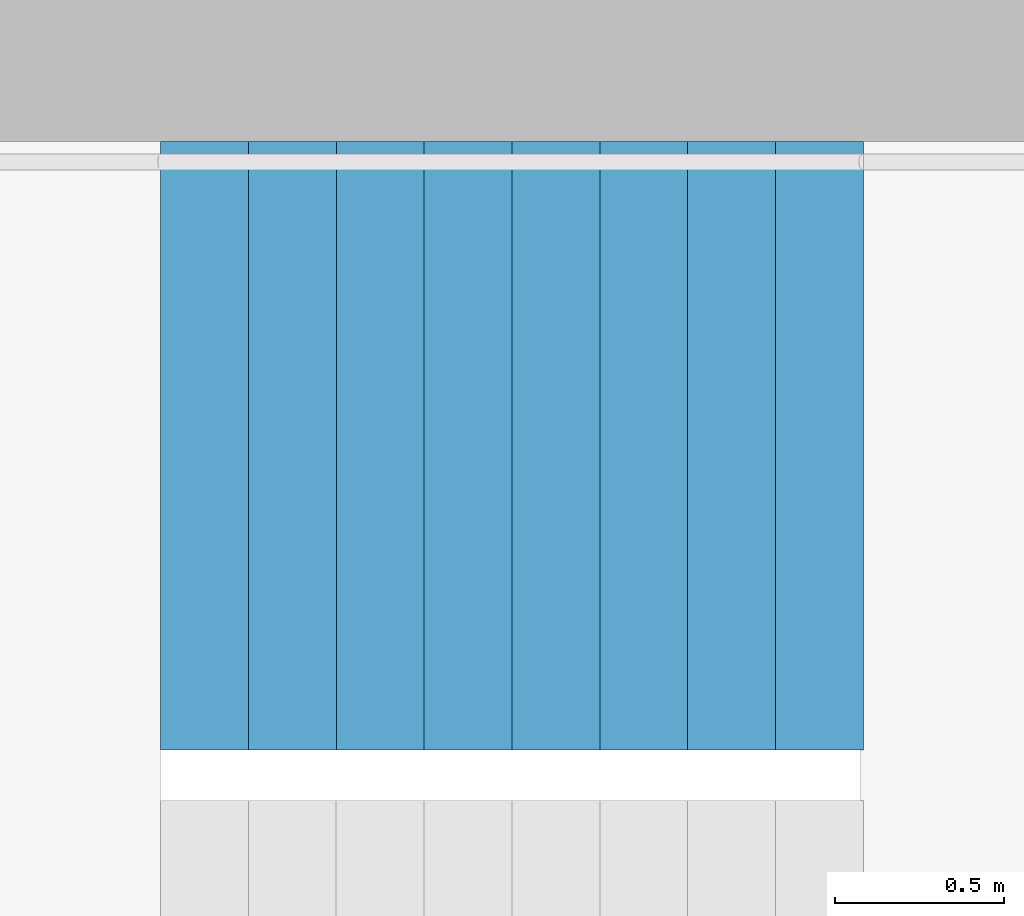
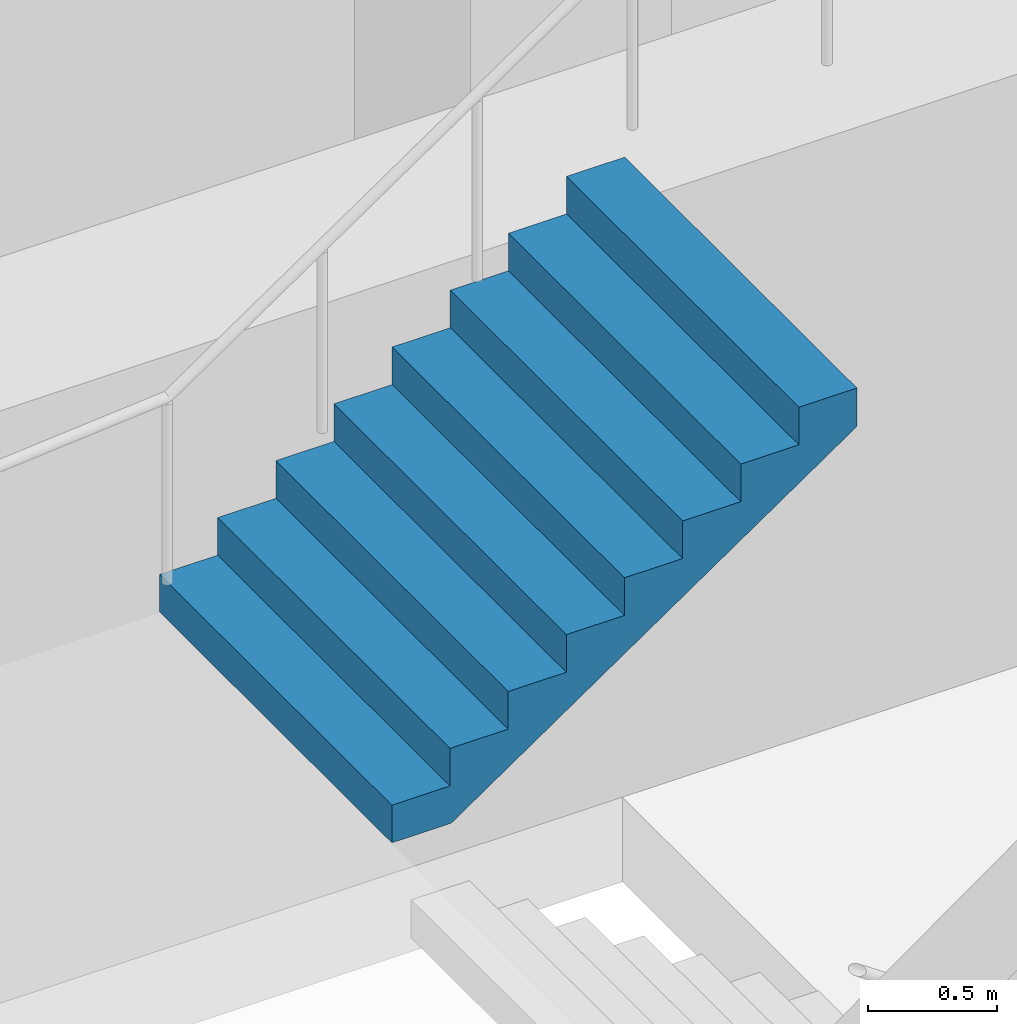
# One storey, part 28 of 29: 1 stair flight, 1 element without a shape of its own.
"""IFC4 building model written with IfcOpenShell, lengths in metres."""

from ifc_helpers import new_model, si_unit, direction, frame, origin, place, context, subcontext, project, spatial, triangles, material, type_object, element, aggregate, save


model = new_model("IFC4")

# Units and contexts
model_context = context("Model", 3, precision=1e-05, world=origin(), true_north=direction((0.0, 1.0)))
body_context = subcontext(model_context, "Body", "Model", "MODEL_VIEW")
ifc_project = project(units=[si_unit("LENGTHUNIT", "METRE"), si_unit("AREAUNIT", "SQUARE_METRE"), si_unit("VOLUMEUNIT", "CUBIC_METRE"), si_unit("PLANEANGLEUNIT", "RADIAN"), si_unit("MASSUNIT", "GRAM", prefix="KILO")], contexts=[model_context])

# Site, building, storey
site_placement = place(None, origin())
site = spatial("IfcSite", under=ifc_project, at=site_placement, CompositionType="ELEMENT")
building_placement = place(site_placement, origin())
building = spatial("IfcBuilding", under=site, at=building_placement, Name="Hakoniwa Tower and Hamabe Station Hall", CompositionType="ELEMENT")
storey_placement = place(building_placement, frame((0.0, 0.0, 91.39990234375)))
storey = spatial("IfcBuildingStorey", under=building, at=storey_placement, Name="L25", CompositionType="ELEMENT", Elevation=91.39990234375)

# Stair, stair flight
ifc_material_1 = material(Name="Concrete C40", Category="concrete")
stair_type = type_object("IfcStairType", Name="ESCAPE STAIR 1800", PredefinedType="HALF_TURN_STAIR", material=ifc_material_1)
stair_placement = place(storey_placement, origin())
stair = element("IfcStair", 1, at=stair_placement, inside=storey, type_object=stair_type, Name="Escape stair ST-3 L25", PredefinedType="HALF_TURN_STAIR")
ifc_material_2 = material(Name="Concrete C40", Category="concrete")
stair_flight_type = type_object("IfcStairFlightType", Name="STAIR FLIGHT 1800", PredefinedType="STRAIGHT", material=ifc_material_2)
stair_flight_placement = place(storey_placement, frame((22.320068359375, 6.60009765625, 1.60009765625), z_axis=(0.0, 0.0, 1.0), x_axis=(1.0, 0.0, 0.0)))
stair_flight = element("IfcStairFlight", 2, at=stair_flight_placement, type_object=stair_flight_type, Name="ST-3 flight 2", NumberOfRisers=9, NumberOfTreads=8, PredefinedType="STRAIGHT", RiserHeight=0.177777778, TreadLength=0.26, context=body_context, shape_type="Tessellation", body=[
    triangles([(0.0, 0.89990234375, 0.0), (0.260009765625, 0.89990234375, 0.0), (0.265625, 0.89990234375, 0.0), (0.52001953125, 0.89990234375, 0.174072265625), (0.780029296875, 0.89990234375, 0.351806640625), (1.0400390625, 0.89990234375, 0.529541015625), (1.300048828125, 0.89990234375, 0.707275390625), (1.56005859375, 0.89990234375, 0.885009765625), (1.820068359375, 0.89990234375, 1.062744140625), (2.080078125, 0.89990234375, 1.24072265625), (2.080078125, 0.89990234375, 1.422119140625), (1.820068359375, 0.89990234375, 1.422119140625), (1.820068359375, 0.89990234375, 1.244384765625), (1.56005859375, 0.89990234375, 1.244384765625), (1.56005859375, 0.89990234375, 1.066650390625), (1.300048828125, 0.89990234375, 1.066650390625), (1.300048828125, 0.89990234375, 0.888916015625), (1.0400390625, 0.89990234375, 0.888916015625), (1.0400390625, 0.89990234375, 0.711181640625), (0.780029296875, 0.89990234375, 0.711181640625), (0.780029296875, 0.89990234375, 0.533447265625), (0.52001953125, 0.89990234375, 0.533447265625), (0.52001953125, 0.89990234375, 0.35546875), (0.265625, 0.89990234375, 0.35546875), (0.260009765625, 0.89990234375, 0.35546875), (0.260009765625, 0.89990234375, 0.177734375), (0.0, 0.89990234375, 0.177734375), (0.0, 0.06005859375, 0.0), (0.260009765625, 0.06005859375, 0.0), (0.265625, 0.06005859375, 0.0), (0.52001953125, 0.06005859375, 0.174072265625), (0.780029296875, 0.06005859375, 0.351806640625), (1.0400390625, 0.06005859375, 0.529541015625), (1.300048828125, 0.06005859375, 0.707275390625), (1.56005859375, 0.06005859375, 0.885009765625), (1.820068359375, 0.06005859375, 1.062744140625), (2.080078125, 0.06005859375, 1.24072265625), (2.080078125, 0.06005859375, 1.422119140625), (1.820068359375, 0.06005859375, 1.422119140625), (1.820068359375, 0.06005859375, 1.244384765625), (1.56005859375, 0.06005859375, 1.244384765625), (1.56005859375, 0.06005859375, 1.066650390625), (1.300048828125, 0.06005859375, 1.066650390625), (1.300048828125, 0.06005859375, 0.888916015625), (1.0400390625, 0.06005859375, 0.888916015625), (1.0400390625, 0.06005859375, 0.711181640625), (0.780029296875, 0.06005859375, 0.711181640625), (0.780029296875, 0.06005859375, 0.533447265625), (0.52001953125, 0.06005859375, 0.533447265625), (0.52001953125, 0.06005859375, 0.35546875), (0.265625, 0.06005859375, 0.35546875), (0.260009765625, 0.06005859375, 0.35546875), (0.260009765625, 0.06005859375, 0.177734375), (0.0, 0.06005859375, 0.177734375), (0.0, 0.04296875, 0.0), (0.260009765625, 0.04296875, 0.0), (0.265625, 0.04296875, 0.0), (0.52001953125, 0.04296875, 0.174072265625), (0.780029296875, 0.04296875, 0.351806640625), (1.0400390625, 0.04296875, 0.529541015625), (1.300048828125, 0.04296875, 0.707275390625), (1.56005859375, 0.04296875, 0.885009765625), (1.820068359375, 0.04296875, 1.062744140625), (2.080078125, 0.04296875, 1.24072265625), (2.080078125, 0.04296875, 1.422119140625), (1.820068359375, 0.04296875, 1.422119140625), (1.820068359375, 0.04296875, 1.244384765625), (1.56005859375, 0.04296875, 1.244384765625), (1.56005859375, 0.04296875, 1.066650390625), (1.300048828125, 0.04296875, 1.066650390625), (1.300048828125, 0.04296875, 0.888916015625), (1.0400390625, 0.04296875, 0.888916015625), (1.0400390625, 0.04296875, 0.711181640625), (0.780029296875, 0.04296875, 0.711181640625), (0.780029296875, 0.04296875, 0.533447265625), (0.52001953125, 0.04296875, 0.533447265625), (0.52001953125, 0.04296875, 0.35546875), (0.265625, 0.04296875, 0.35546875), (0.260009765625, 0.04296875, 0.35546875), (0.260009765625, 0.04296875, 0.177734375), (0.0, 0.04296875, 0.177734375), (0.0, 0.025634765625, 0.0), (0.260009765625, 0.025634765625, 0.0), (0.265625, 0.025634765625, 0.0), (0.52001953125, 0.025634765625, 0.174072265625), (0.780029296875, 0.025634765625, 0.351806640625), (1.0400390625, 0.025634765625, 0.529541015625), (1.300048828125, 0.025634765625, 0.707275390625), (1.56005859375, 0.025634765625, 0.885009765625), (1.820068359375, 0.025634765625, 1.062744140625), (2.080078125, 0.025634765625, 1.24072265625), (2.080078125, 0.025634765625, 1.422119140625), (1.820068359375, 0.025634765625, 1.422119140625), (1.820068359375, 0.025634765625, 1.244384765625), (1.56005859375, 0.025634765625, 1.244384765625), (1.56005859375, 0.025634765625, 1.066650390625), (1.300048828125, 0.025634765625, 1.066650390625), (1.300048828125, 0.025634765625, 0.888916015625), (1.0400390625, 0.025634765625, 0.888916015625), (1.0400390625, 0.025634765625, 0.711181640625), (0.780029296875, 0.025634765625, 0.711181640625), (0.780029296875, 0.025634765625, 0.533447265625), (0.52001953125, 0.025634765625, 0.533447265625), (0.52001953125, 0.025634765625, 0.35546875), (0.265625, 0.025634765625, 0.35546875), (0.260009765625, 0.025634765625, 0.35546875), (0.260009765625, 0.025634765625, 0.177734375), (0.0, 0.025634765625, 0.177734375), (0.0, 0.008544921875, 0.0), (0.260009765625, 0.008544921875, 0.0), (0.265625, 0.008544921875, 0.0), (0.52001953125, 0.008544921875, 0.174072265625), (0.780029296875, 0.008544921875, 0.351806640625), (1.0400390625, 0.008544921875, 0.529541015625), (1.300048828125, 0.008544921875, 0.707275390625), (1.56005859375, 0.008544921875, 0.885009765625), (1.820068359375, 0.008544921875, 1.062744140625), (2.080078125, 0.008544921875, 1.24072265625), (2.080078125, 0.008544921875, 1.422119140625), (1.820068359375, 0.008544921875, 1.422119140625), (1.820068359375, 0.008544921875, 1.244384765625), (1.56005859375, 0.008544921875, 1.244384765625), (1.56005859375, 0.008544921875, 1.066650390625), (1.300048828125, 0.008544921875, 1.066650390625), (1.300048828125, 0.008544921875, 0.888916015625), (1.0400390625, 0.008544921875, 0.888916015625), (1.0400390625, 0.008544921875, 0.711181640625), (0.780029296875, 0.008544921875, 0.711181640625), (0.780029296875, 0.008544921875, 0.533447265625), (0.52001953125, 0.008544921875, 0.533447265625), (0.52001953125, 0.008544921875, 0.35546875), (0.265625, 0.008544921875, 0.35546875), (0.260009765625, 0.008544921875, 0.35546875), (0.260009765625, 0.008544921875, 0.177734375), (0.0, 0.008544921875, 0.177734375), (0.0, -0.008544921875, 0.0), (0.260009765625, -0.008544921875, 0.0), (0.265625, -0.008544921875, 0.0), (0.52001953125, -0.008544921875, 0.174072265625), (0.780029296875, -0.008544921875, 0.351806640625), (1.0400390625, -0.008544921875, 0.529541015625), (1.300048828125, -0.008544921875, 0.707275390625), (1.56005859375, -0.008544921875, 0.885009765625), (1.820068359375, -0.008544921875, 1.062744140625), (2.080078125, -0.008544921875, 1.24072265625), (2.080078125, -0.008544921875, 1.422119140625), (1.820068359375, -0.008544921875, 1.422119140625), (1.820068359375, -0.008544921875, 1.244384765625), (1.56005859375, -0.008544921875, 1.244384765625), (1.56005859375, -0.008544921875, 1.066650390625), (1.300048828125, -0.008544921875, 1.066650390625), (1.300048828125, -0.008544921875, 0.888916015625), (1.0400390625, -0.008544921875, 0.888916015625), (1.0400390625, -0.008544921875, 0.711181640625), (0.780029296875, -0.008544921875, 0.711181640625), (0.780029296875, -0.008544921875, 0.533447265625), (0.52001953125, -0.008544921875, 0.533447265625), (0.52001953125, -0.008544921875, 0.35546875), (0.265625, -0.008544921875, 0.35546875), (0.260009765625, -0.008544921875, 0.35546875), (0.260009765625, -0.008544921875, 0.177734375), (0.0, -0.008544921875, 0.177734375), (0.0, -0.025634765625, 0.0), (0.260009765625, -0.025634765625, 0.0), (0.265625, -0.025634765625, 0.0), (0.52001953125, -0.025634765625, 0.174072265625), (0.780029296875, -0.025634765625, 0.351806640625), (1.0400390625, -0.025634765625, 0.529541015625), (1.300048828125, -0.025634765625, 0.707275390625), (1.56005859375, -0.025634765625, 0.885009765625), (1.820068359375, -0.025634765625, 1.062744140625), (2.080078125, -0.025634765625, 1.24072265625), (2.080078125, -0.025634765625, 1.422119140625), (1.820068359375, -0.025634765625, 1.422119140625), (1.820068359375, -0.025634765625, 1.244384765625), (1.56005859375, -0.025634765625, 1.244384765625), (1.56005859375, -0.025634765625, 1.066650390625), (1.300048828125, -0.025634765625, 1.066650390625), (1.300048828125, -0.025634765625, 0.888916015625), (1.0400390625, -0.025634765625, 0.888916015625), (1.0400390625, -0.025634765625, 0.711181640625), (0.780029296875, -0.025634765625, 0.711181640625), (0.780029296875, -0.025634765625, 0.533447265625), (0.52001953125, -0.025634765625, 0.533447265625), (0.52001953125, -0.025634765625, 0.35546875), (0.265625, -0.025634765625, 0.35546875), (0.260009765625, -0.025634765625, 0.35546875), (0.260009765625, -0.025634765625, 0.177734375), (0.0, -0.025634765625, 0.177734375), (0.0, -0.04296875, 0.0), (0.260009765625, -0.04296875, 0.0), (0.265625, -0.04296875, 0.0), (0.52001953125, -0.04296875, 0.174072265625), (0.780029296875, -0.04296875, 0.351806640625), (1.0400390625, -0.04296875, 0.529541015625), (1.300048828125, -0.04296875, 0.707275390625), (1.56005859375, -0.04296875, 0.885009765625), (1.820068359375, -0.04296875, 1.062744140625), (2.080078125, -0.04296875, 1.24072265625), (2.080078125, -0.04296875, 1.422119140625), (1.820068359375, -0.04296875, 1.422119140625), (1.820068359375, -0.04296875, 1.244384765625), (1.56005859375, -0.04296875, 1.244384765625), (1.56005859375, -0.04296875, 1.066650390625), (1.300048828125, -0.04296875, 1.066650390625), (1.300048828125, -0.04296875, 0.888916015625), (1.0400390625, -0.04296875, 0.888916015625), (1.0400390625, -0.04296875, 0.711181640625), (0.780029296875, -0.04296875, 0.711181640625), (0.780029296875, -0.04296875, 0.533447265625), (0.52001953125, -0.04296875, 0.533447265625), (0.52001953125, -0.04296875, 0.35546875), (0.265625, -0.04296875, 0.35546875), (0.260009765625, -0.04296875, 0.35546875), (0.260009765625, -0.04296875, 0.177734375), (0.0, -0.04296875, 0.177734375), (0.0, -0.06005859375, 0.0), (0.260009765625, -0.06005859375, 0.0), (0.265625, -0.06005859375, 0.0), (0.52001953125, -0.06005859375, 0.174072265625), (0.780029296875, -0.06005859375, 0.351806640625), (1.0400390625, -0.06005859375, 0.529541015625), (1.300048828125, -0.06005859375, 0.707275390625), (1.56005859375, -0.06005859375, 0.885009765625), (1.820068359375, -0.06005859375, 1.062744140625), (2.080078125, -0.06005859375, 1.24072265625), (2.080078125, -0.06005859375, 1.422119140625), (1.820068359375, -0.06005859375, 1.422119140625), (1.820068359375, -0.06005859375, 1.244384765625), (1.56005859375, -0.06005859375, 1.244384765625), (1.56005859375, -0.06005859375, 1.066650390625), (1.300048828125, -0.06005859375, 1.066650390625), (1.300048828125, -0.06005859375, 0.888916015625), (1.0400390625, -0.06005859375, 0.888916015625), (1.0400390625, -0.06005859375, 0.711181640625), (0.780029296875, -0.06005859375, 0.711181640625), (0.780029296875, -0.06005859375, 0.533447265625), (0.52001953125, -0.06005859375, 0.533447265625), (0.52001953125, -0.06005859375, 0.35546875), (0.265625, -0.06005859375, 0.35546875), (0.260009765625, -0.06005859375, 0.35546875), (0.260009765625, -0.06005859375, 0.177734375), (0.0, -0.06005859375, 0.177734375), (0.0, -0.89990234375, 0.0), (0.260009765625, -0.89990234375, 0.0), (0.265625, -0.89990234375, 0.0), (0.52001953125, -0.89990234375, 0.174072265625), (0.780029296875, -0.89990234375, 0.351806640625), (1.0400390625, -0.89990234375, 0.529541015625), (1.300048828125, -0.89990234375, 0.707275390625), (1.56005859375, -0.89990234375, 0.885009765625), (1.820068359375, -0.89990234375, 1.062744140625), (2.080078125, -0.89990234375, 1.24072265625), (2.080078125, -0.89990234375, 1.422119140625), (1.820068359375, -0.89990234375, 1.422119140625), (1.820068359375, -0.89990234375, 1.244384765625), (1.56005859375, -0.89990234375, 1.244384765625), (1.56005859375, -0.89990234375, 1.066650390625), (1.300048828125, -0.89990234375, 1.066650390625), (1.300048828125, -0.89990234375, 0.888916015625), (1.0400390625, -0.89990234375, 0.888916015625), (1.0400390625, -0.89990234375, 0.711181640625), (0.780029296875, -0.89990234375, 0.711181640625), (0.780029296875, -0.89990234375, 0.533447265625), (0.52001953125, -0.89990234375, 0.533447265625), (0.52001953125, -0.89990234375, 0.35546875), (0.265625, -0.89990234375, 0.35546875), (0.260009765625, -0.89990234375, 0.35546875), (0.260009765625, -0.89990234375, 0.177734375), (0.0, -0.89990234375, 0.177734375)], [[2, 27, 26], [245, 269, 270], [2, 1, 27], [245, 270, 244], [3, 25, 24], [246, 267, 268], [3, 26, 25], [246, 268, 269], [3, 2, 26], [246, 269, 245], [4, 24, 23], [247, 266, 267], [4, 3, 24], [247, 267, 246], [5, 22, 21], [248, 264, 265], [5, 23, 22], [248, 265, 266], [5, 4, 23], [248, 266, 247], [6, 20, 19], [249, 262, 263], [6, 21, 20], [249, 263, 264], [6, 5, 21], [249, 264, 248], [7, 18, 17], [250, 260, 261], [7, 19, 18], [250, 261, 262], [7, 6, 19], [250, 262, 249], [8, 16, 15], [251, 258, 259], [8, 17, 16], [251, 259, 260], [8, 7, 17], [251, 260, 250], [9, 14, 13], [252, 256, 257], [9, 15, 14], [252, 257, 258], [9, 8, 15], [252, 258, 251], [10, 12, 11], [253, 254, 255], [10, 13, 12], [253, 255, 256], [10, 9, 13], [253, 256, 252], [1, 2, 29], [1, 29, 28], [28, 29, 56], [28, 56, 55], [55, 56, 83], [55, 83, 82], [82, 83, 110], [82, 110, 109], [109, 110, 137], [109, 137, 136], [136, 137, 164], [136, 164, 163], [163, 164, 191], [163, 191, 190], [190, 191, 218], [190, 218, 217], [217, 218, 245], [217, 245, 244], [2, 3, 30], [2, 30, 29], [29, 30, 57], [29, 57, 56], [56, 57, 84], [56, 84, 83], [83, 84, 111], [83, 111, 110], [110, 111, 138], [110, 138, 137], [137, 138, 165], [137, 165, 164], [164, 165, 192], [164, 192, 191], [191, 192, 219], [191, 219, 218], [218, 219, 246], [218, 246, 245], [3, 4, 31], [3, 31, 30], [30, 31, 58], [30, 58, 57], [57, 58, 85], [57, 85, 84], [84, 85, 112], [84, 112, 111], [111, 112, 139], [111, 139, 138], [138, 139, 166], [138, 166, 165], [165, 166, 193], [165, 193, 192], [192, 193, 220], [192, 220, 219], [219, 220, 247], [219, 247, 246], [4, 5, 32], [4, 32, 31], [31, 32, 59], [31, 59, 58], [58, 59, 86], [58, 86, 85], [85, 86, 113], [85, 113, 112], [112, 113, 140], [112, 140, 139], [139, 140, 167], [139, 167, 166], [166, 167, 194], [166, 194, 193], [193, 194, 221], [193, 221, 220], [220, 221, 248], [220, 248, 247], [5, 6, 33], [5, 33, 32], [32, 33, 60], [32, 60, 59], [59, 60, 87], [59, 87, 86], [86, 87, 114], [86, 114, 113], [113, 114, 141], [113, 141, 140], [140, 141, 168], [140, 168, 167], [167, 168, 195], [167, 195, 194], [194, 195, 222], [194, 222, 221], [221, 222, 249], [221, 249, 248], [6, 7, 34], [6, 34, 33], [33, 34, 61], [33, 61, 60], [60, 61, 88], [60, 88, 87], [87, 88, 115], [87, 115, 114], [114, 115, 142], [114, 142, 141], [141, 142, 169], [141, 169, 168], [168, 169, 196], [168, 196, 195], [195, 196, 223], [195, 223, 222], [222, 223, 250], [222, 250, 249], [7, 8, 35], [7, 35, 34], [34, 35, 62], [34, 62, 61], [61, 62, 89], [61, 89, 88], [88, 89, 116], [88, 116, 115], [115, 116, 143], [115, 143, 142], [142, 143, 170], [142, 170, 169], [169, 170, 197], [169, 197, 196], [196, 197, 224], [196, 224, 223], [223, 224, 251], [223, 251, 250], [8, 9, 36], [8, 36, 35], [35, 36, 63], [35, 63, 62], [62, 63, 90], [62, 90, 89], [89, 90, 117], [89, 117, 116], [116, 117, 144], [116, 144, 143], [143, 144, 171], [143, 171, 170], [170, 171, 198], [170, 198, 197], [197, 198, 225], [197, 225, 224], [224, 225, 252], [224, 252, 251], [9, 10, 37], [9, 37, 36], [36, 37, 64], [36, 64, 63], [63, 64, 91], [63, 91, 90], [90, 91, 118], [90, 118, 117], [117, 118, 145], [117, 145, 144], [144, 145, 172], [144, 172, 171], [171, 172, 199], [171, 199, 198], [198, 199, 226], [198, 226, 225], [225, 226, 253], [225, 253, 252], [10, 11, 38], [10, 38, 37], [37, 38, 65], [37, 65, 64], [64, 65, 92], [64, 92, 91], [91, 92, 119], [91, 119, 118], [118, 119, 146], [118, 146, 145], [145, 146, 173], [145, 173, 172], [172, 173, 200], [172, 200, 199], [199, 200, 227], [199, 227, 226], [226, 227, 254], [226, 254, 253], [11, 12, 39], [11, 39, 38], [38, 39, 66], [38, 66, 65], [65, 66, 93], [65, 93, 92], [92, 93, 120], [92, 120, 119], [119, 120, 147], [119, 147, 146], [146, 147, 174], [146, 174, 173], [173, 174, 201], [173, 201, 200], [200, 201, 228], [200, 228, 227], [227, 228, 255], [227, 255, 254], [12, 13, 40], [12, 40, 39], [39, 40, 67], [39, 67, 66], [66, 67, 94], [66, 94, 93], [93, 94, 121], [93, 121, 120], [120, 121, 148], [120, 148, 147], [147, 148, 175], [147, 175, 174], [174, 175, 202], [174, 202, 201], [201, 202, 229], [201, 229, 228], [228, 229, 256], [228, 256, 255], [13, 14, 41], [13, 41, 40], [40, 41, 68], [40, 68, 67], [67, 68, 95], [67, 95, 94], [94, 95, 122], [94, 122, 121], [121, 122, 149], [121, 149, 148], [148, 149, 176], [148, 176, 175], [175, 176, 203], [175, 203, 202], [202, 203, 230], [202, 230, 229], [229, 230, 257], [229, 257, 256], [14, 15, 42], [14, 42, 41], [41, 42, 69], [41, 69, 68], [68, 69, 96], [68, 96, 95], [95, 96, 123], [95, 123, 122], [122, 123, 150], [122, 150, 149], [149, 150, 177], [149, 177, 176], [176, 177, 204], [176, 204, 203], [203, 204, 231], [203, 231, 230], [230, 231, 258], [230, 258, 257], [15, 16, 43], [15, 43, 42], [42, 43, 70], [42, 70, 69], [69, 70, 97], [69, 97, 96], [96, 97, 124], [96, 124, 123], [123, 124, 151], [123, 151, 150], [150, 151, 178], [150, 178, 177], [177, 178, 205], [177, 205, 204], [204, 205, 232], [204, 232, 231], [231, 232, 259], [231, 259, 258], [16, 17, 44], [16, 44, 43], [43, 44, 71], [43, 71, 70], [70, 71, 98], [70, 98, 97], [97, 98, 125], [97, 125, 124], [124, 125, 152], [124, 152, 151], [151, 152, 179], [151, 179, 178], [178, 179, 206], [178, 206, 205], [205, 206, 233], [205, 233, 232], [232, 233, 260], [232, 260, 259], [17, 18, 45], [17, 45, 44], [44, 45, 72], [44, 72, 71], [71, 72, 99], [71, 99, 98], [98, 99, 126], [98, 126, 125], [125, 126, 153], [125, 153, 152], [152, 153, 180], [152, 180, 179], [179, 180, 207], [179, 207, 206], [206, 207, 234], [206, 234, 233], [233, 234, 261], [233, 261, 260], [18, 19, 46], [18, 46, 45], [45, 46, 73], [45, 73, 72], [72, 73, 100], [72, 100, 99], [99, 100, 127], [99, 127, 126], [126, 127, 154], [126, 154, 153], [153, 154, 181], [153, 181, 180], [180, 181, 208], [180, 208, 207], [207, 208, 235], [207, 235, 234], [234, 235, 262], [234, 262, 261], [19, 20, 47], [19, 47, 46], [46, 47, 74], [46, 74, 73], [73, 74, 101], [73, 101, 100], [100, 101, 128], [100, 128, 127], [127, 128, 155], [127, 155, 154], [154, 155, 182], [154, 182, 181], [181, 182, 209], [181, 209, 208], [208, 209, 236], [208, 236, 235], [235, 236, 263], [235, 263, 262], [20, 21, 48], [20, 48, 47], [47, 48, 75], [47, 75, 74], [74, 75, 102], [74, 102, 101], [101, 102, 129], [101, 129, 128], [128, 129, 156], [128, 156, 155], [155, 156, 183], [155, 183, 182], [182, 183, 210], [182, 210, 209], [209, 210, 237], [209, 237, 236], [236, 237, 264], [236, 264, 263], [21, 22, 49], [21, 49, 48], [48, 49, 76], [48, 76, 75], [75, 76, 103], [75, 103, 102], [102, 103, 130], [102, 130, 129], [129, 130, 157], [129, 157, 156], [156, 157, 184], [156, 184, 183], [183, 184, 211], [183, 211, 210], [210, 211, 238], [210, 238, 237], [237, 238, 265], [237, 265, 264], [22, 23, 50], [22, 50, 49], [49, 50, 77], [49, 77, 76], [76, 77, 104], [76, 104, 103], [103, 104, 131], [103, 131, 130], [130, 131, 158], [130, 158, 157], [157, 158, 185], [157, 185, 184], [184, 185, 212], [184, 212, 211], [211, 212, 239], [211, 239, 238], [238, 239, 266], [238, 266, 265], [23, 24, 51], [23, 51, 50], [50, 51, 78], [50, 78, 77], [77, 78, 105], [77, 105, 104], [104, 105, 132], [104, 132, 131], [131, 132, 159], [131, 159, 158], [158, 159, 186], [158, 186, 185], [185, 186, 213], [185, 213, 212], [212, 213, 240], [212, 240, 239], [239, 240, 267], [239, 267, 266], [24, 25, 52], [24, 52, 51], [51, 52, 79], [51, 79, 78], [78, 79, 106], [78, 106, 105], [105, 106, 133], [105, 133, 132], [132, 133, 160], [132, 160, 159], [159, 160, 187], [159, 187, 186], [186, 187, 214], [186, 214, 213], [213, 214, 241], [213, 241, 240], [240, 241, 268], [240, 268, 267], [25, 26, 53], [25, 53, 52], [52, 53, 80], [52, 80, 79], [79, 80, 107], [79, 107, 106], [106, 107, 134], [106, 134, 133], [133, 134, 161], [133, 161, 160], [160, 161, 188], [160, 188, 187], [187, 188, 215], [187, 215, 214], [214, 215, 242], [214, 242, 241], [241, 242, 269], [241, 269, 268], [26, 27, 54], [26, 54, 53], [53, 54, 81], [53, 81, 80], [80, 81, 108], [80, 108, 107], [107, 108, 135], [107, 135, 134], [134, 135, 162], [134, 162, 161], [161, 162, 189], [161, 189, 188], [188, 189, 216], [188, 216, 215], [215, 216, 243], [215, 243, 242], [242, 243, 270], [242, 270, 269], [27, 1, 28], [27, 28, 54], [54, 28, 55], [54, 55, 81], [81, 55, 82], [81, 82, 108], [108, 82, 109], [108, 109, 135], [135, 109, 136], [135, 136, 162], [162, 136, 163], [162, 163, 189], [189, 163, 190], [189, 190, 216], [216, 190, 217], [216, 217, 243], [243, 217, 244], [243, 244, 270]], closed=True),
])
aggregate(stair, [stair_flight])

save(model, "model.ifc")
